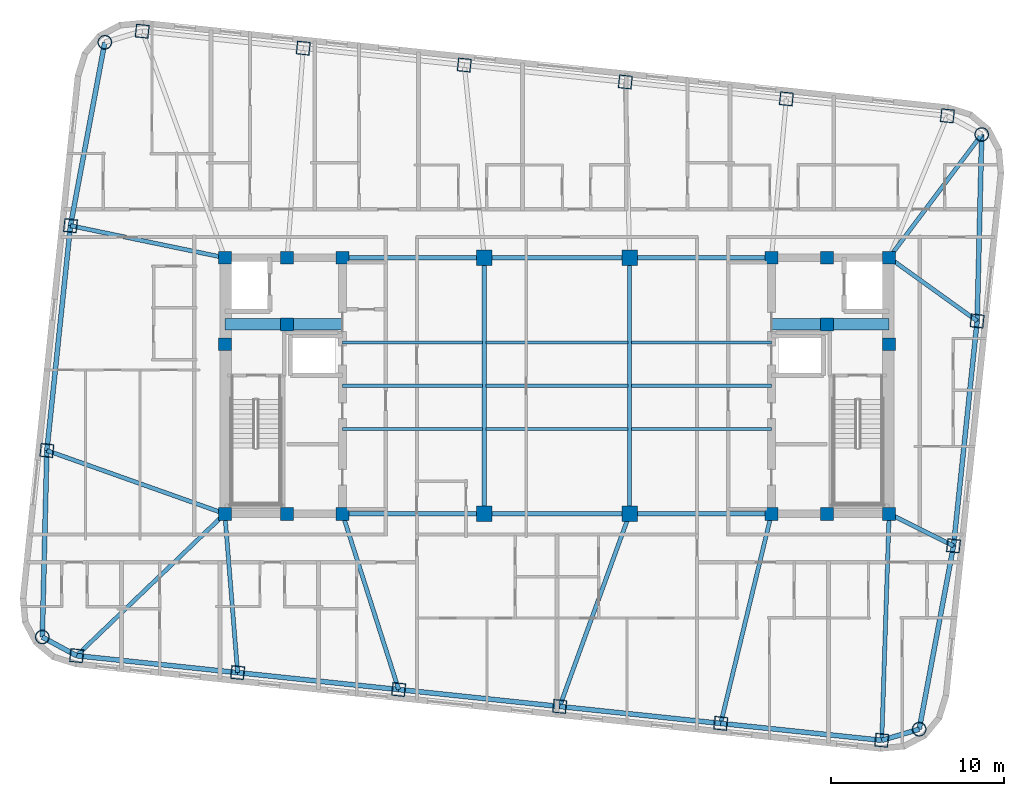
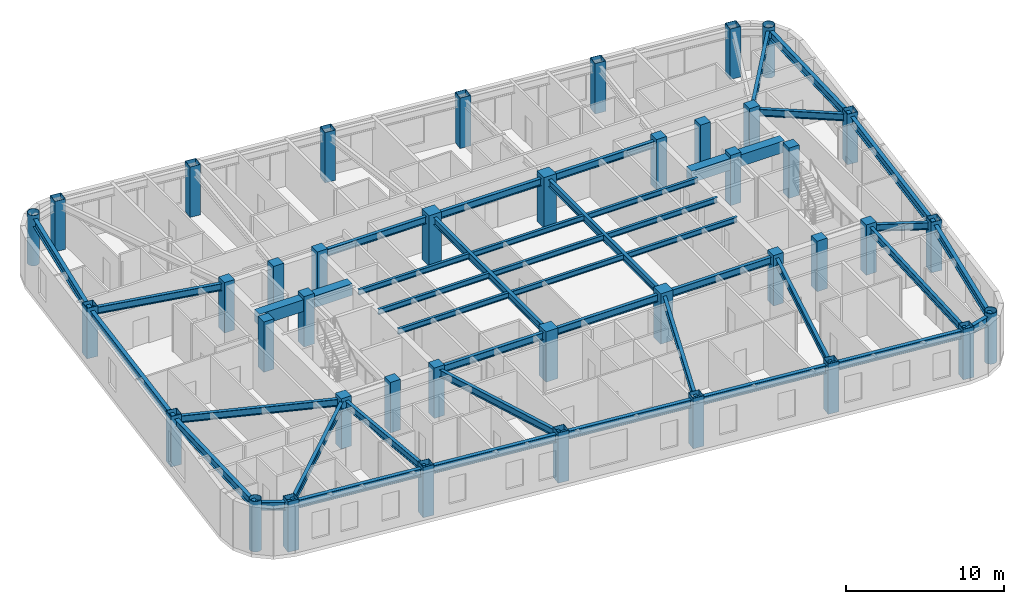
# One storey, part 1 of 11: 43 beams, 40 columns.
"""IFC4 building model written with IfcOpenShell, lengths in metres."""

from ifc_helpers import new_model, si_unit, direction, frame, origin, origin_2d, place, context, subcontext, project, spatial, rectangle, hollow_rectangle, hollow_circle, i_section, extrude, material, material_profile, profile_set, type_object, element, save


model = new_model("IFC4")

# Units and contexts
model_context = context("Model", 3, precision=1e-05, world=origin(), true_north=direction((0.0, 1.0)))
body_context = subcontext(model_context, "Body", "Model", "MODEL_VIEW")
ifc_project = project(units=[si_unit("LENGTHUNIT", "METRE"), si_unit("AREAUNIT", "SQUARE_METRE"), si_unit("VOLUMEUNIT", "CUBIC_METRE"), si_unit("PLANEANGLEUNIT", "RADIAN"), si_unit("MASSUNIT", "GRAM", prefix="KILO")], contexts=[model_context])

# Site, building, storey
site_placement = place(None, origin())
site = spatial("IfcSite", under=ifc_project, at=site_placement, CompositionType="ELEMENT")
building_placement = place(site_placement, origin())
building = spatial("IfcBuilding", under=site, at=building_placement, Name="Voryun Gate Residences", CompositionType="ELEMENT")
storey_placement = place(building_placement, frame((0.0, 0.0, 295.10009765625)))
storey = spatial("IfcBuildingStorey", under=building, at=storey_placement, Name="L73", CompositionType="ELEMENT", Elevation=295.10009765625)

# Columns
ifc_material_1 = material(Name="Concrete C50/60", Category="concrete")
ifc_material_profile_1 = material_profile(ifc_material_1, rectangle(XDim=0.75, YDim=0.75, at=origin_2d()), Name="RC-750x750")
ifc_profile_set_1 = profile_set([ifc_material_profile_1], Name="Concrete C50/60")
column_type_1 = type_object("IfcColumnType", Name="COL_CORE_750", PredefinedType="COLUMN", material=ifc_profile_set_1)
for number, where, z_axis, x_axis, name in (
    (1, (-19.199951171875, -7.39990234375, 0.0), (0.0, 0.0, 1.0), (1.0, 0.0, 0.0), "L73 Core boundary column WC-SW"),
    (2, (-19.199951171875, 2.39990234375, 0.0), (0.0, 0.0, 1.0), (1.0, 0.0, 0.0), "L73 Core boundary column WC-MW"),
    (3, (-19.199951171875, 7.39990234375, 0.0), (0.0, 0.0, 1.0), (1.0, 0.0, 0.0), "L73 Core boundary column WC-NW"),
    (4, (-15.60009765625, -7.39990234375, 0.0), (0.0, 0.0, 1.0), (1.0, 0.0, 0.0), "L73 Core boundary column WC-SM"),
    (5, (-15.60009765625, 7.39990234375, 0.0), (0.0, 0.0, 1.0), (1.0, 0.0, 0.0), "L73 Core boundary column WC-NM"),
    (6, (-12.39990234375, -7.39990234375, 0.0), (0.0, 0.0, 1.0), (1.0, 0.0, 0.0), "L73 Core boundary column WC-SE"),
    (7, (-15.60009765625, 3.550048828125, 0.0), (0.0, 0.0, 1.0), (1.0, 0.0, 0.0), "L73 Core boundary column WC-MM"),
    (8, (-12.39990234375, 7.39990234375, 0.0), (0.0, 0.0, 1.0), (1.0, 0.0, 0.0), "L73 Core boundary column WC-NE"),
    (9, (12.39990234375, -7.39990234375, 0.0), (0.0, 0.0, 1.0), (1.0, 0.0, 0.0), "L73 Core boundary column EC-SW"),
    (10, (15.60009765625, 3.550048828125, 0.0), (0.0, 0.0, 1.0), (1.0, 0.0, 0.0), "L73 Core boundary column EC-MM"),
    (11, (12.39990234375, 7.39990234375, 0.0), (0.0, 0.0, 1.0), (1.0, 0.0, 0.0), "L73 Core boundary column EC-NW"),
    (12, (15.60009765625, -7.39990234375, 0.0), (0.0, 0.0, 1.0), (1.0, 0.0, 0.0), "L73 Core boundary column EC-SM"),
    (13, (15.60009765625, 7.39990234375, 0.0), (0.0, 0.0, 1.0), (1.0, 0.0, 0.0), "L73 Core boundary column EC-NM"),
    (14, (19.199951171875, -7.39990234375, 0.0), (0.0, 0.0, 1.0), (1.0, 0.0, 0.0), "L73 Core boundary column EC-SE"),
    (15, (19.199951171875, 2.39990234375, 0.0), (0.0, 0.0, 1.0), (1.0, 0.0, 0.0), "L73 Core boundary column EC-ME"),
    (16, (19.199951171875, 7.39990234375, 0.0), (0.0, 0.0, 1.0), (1.0, 0.0, 0.0), "L73 Core boundary column EC-NE"),
):
    element("IfcColumn", number, at=place(storey_placement, frame(where, z_axis=z_axis, x_axis=x_axis)), inside=storey, type_object=column_type_1, Name=name, PredefinedType="COLUMN", context=body_context, shape_type="SweptSolid", body=[
        extrude(rectangle(XDim=0.75, YDim=0.75, at=origin_2d()), origin(), (0.0, 0.0, 1.0), 3.89990234375),
    ])
ifc_material_2 = material(Name="Concrete C50/60", Category="concrete")
ifc_material_profile_2 = material_profile(ifc_material_2, rectangle(XDim=0.89990234375, YDim=0.89990234375, at=origin_2d()), Name="RC-900x900")
ifc_profile_set_2 = profile_set([ifc_material_profile_2], Name="Concrete C50/60")
column_type_2 = type_object("IfcColumnType", Name="COL_CORE_900", PredefinedType="COLUMN", material=ifc_profile_set_2)
for number, where, z_axis, x_axis, name in (
    (17, (-4.199951171875, -7.39990234375, 0.0), (0.0, 0.0, 1.0), (1.0, 0.0, 0.0), "L73 Interior spine column SP-WS"),
    (18, (-4.199951171875, 7.39990234375, 0.0), (0.0, 0.0, 1.0), (1.0, 0.0, 0.0), "L73 Interior spine column SP-WN"),
    (19, (4.199951171875, -7.39990234375, 0.0), (0.0, 0.0, 1.0), (1.0, 0.0, 0.0), "L73 Interior spine column SP-ES"),
    (20, (4.199951171875, 7.39990234375, 0.0), (0.0, 0.0, 1.0), (1.0, 0.0, 0.0), "L73 Interior spine column SP-EN"),
):
    element("IfcColumn", number, at=place(storey_placement, frame(where, z_axis=z_axis, x_axis=x_axis)), inside=storey, type_object=column_type_2, Name=name, PredefinedType="COLUMN", context=body_context, shape_type="SweptSolid", body=[
        extrude(rectangle(XDim=0.89990234375, YDim=0.89990234375, at=origin_2d()), origin(), (0.0, 0.0, 1.0), 3.89990234375),
    ])
ifc_material_3 = material(Name="Steel SM355", Category="steel")
ifc_material_profile_3 = material_profile(ifc_material_3, hollow_circle(Radius=0.39990234375, WallThickness=0.028076171875, at=origin_2d()), Name="CHS-800x28")
ifc_profile_set_3 = profile_set([ifc_material_profile_3], Name="Steel SM355")
column_type_3 = type_object("IfcColumnType", Name="COL_CRN_800", PredefinedType="COLUMN", material=ifc_profile_set_3)
for number, where, z_axis, x_axis, name in (
    (21, (20.939453125, -19.855224609375, 0.0), (0.0, 0.0, 1.0), (0.994521895368, -0.104528463268, 0.0), "L73 Exoskeleton column CSE"),
    (22, (24.55322265625, 14.52734375, 0.0), (0.0, 0.0, 1.0), (0.994521895368, -0.104528463268, 0.0), "L73 Exoskeleton column CNE"),
    (23, (-26.139404296875, 19.855224609375, 0.0), (0.0, 0.0, 1.0), (0.994521895368, -0.104528463268, 0.0), "L73 Exoskeleton column CNW"),
    (24, (-29.753173828125, -14.52734375, 0.0), (0.0, 0.0, 1.0), (0.994521895368, -0.104528463268, 0.0), "L73 Exoskeleton column CSW"),
):
    element("IfcColumn", number, at=place(storey_placement, frame(where, z_axis=z_axis, x_axis=x_axis)), inside=storey, type_object=column_type_3, Name=name, PredefinedType="COLUMN", context=body_context, shape_type="SweptSolid", body=[
        extrude(hollow_circle(Radius=0.39990234375, WallThickness=0.028076171875, at=origin_2d()), origin(), (0.0, 0.0, 1.0), 3.89990234375),
    ])
ifc_material_4 = material(Name="Steel SM355", Category="steel")
ifc_material_profile_4 = material_profile(ifc_material_4, hollow_rectangle(XDim=0.75, YDim=0.75, WallThickness=0.02490234375, at=origin_2d()), Name="BOX-750x750x25")
ifc_profile_set_4 = profile_set([ifc_material_profile_4], Name="Steel SM355")
column_type_4 = type_object("IfcColumnType", Name="COL_EXO_B5", PredefinedType="COLUMN", material=ifc_profile_set_4)
for number, where, z_axis, x_axis, name in (
    (25, (-27.76904296875, -15.6044921875, 0.0), (0.0, 0.0, 1.0), (0.994521895368, -0.104528463268, 0.0), "L73 Exoskeleton column S1"),
    (26, (-18.460205078125, -16.5830078125, 0.0), (0.0, 0.0, 1.0), (0.994521895368, -0.104528463268, 0.0), "L73 Exoskeleton column S2"),
    (27, (-9.151611328125, -17.561279296875, 0.0), (0.0, 0.0, 1.0), (0.994521895368, -0.104528463268, 0.0), "L73 Exoskeleton column S3"),
    (28, (0.1572265625, -18.539794921875, 0.0), (0.0, 0.0, 1.0), (0.994521895368, -0.104528463268, 0.0), "L73 Exoskeleton column S4"),
    (29, (9.4658203125, -19.51806640625, 0.0), (0.0, 0.0, 1.0), (0.994521895368, -0.104528463268, 0.0), "L73 Exoskeleton column S5"),
    (30, (18.774658203125, -20.49658203125, 0.0), (0.0, 0.0, 1.0), (0.994521895368, -0.104528463268, 0.0), "L73 Exoskeleton column S6"),
    (31, (22.922607421875, -9.25244140625, 0.0), (0.0, 0.0, 1.0), (0.994521895368, -0.104528463268, 0.0), "L73 Exoskeleton column E1"),
    (32, (24.28857421875, 3.743896484375, 0.0), (0.0, 0.0, 1.0), (0.994521895368, -0.104528463268, 0.0), "L73 Exoskeleton column E2"),
    (33, (22.569091796875, 15.6044921875, 0.0), (0.0, 0.0, 1.0), (0.994521895368, -0.104528463268, 0.0), "L73 Exoskeleton column N1"),
    (34, (13.26025390625, 16.5830078125, 0.0), (0.0, 0.0, 1.0), (0.994521895368, -0.104528463268, 0.0), "L73 Exoskeleton column N2"),
    (35, (3.95166015625, 17.561279296875, 0.0), (0.0, 0.0, 1.0), (0.994521895368, -0.104528463268, 0.0), "L73 Exoskeleton column N3"),
    (36, (-5.357177734375, 18.539794921875, 0.0), (0.0, 0.0, 1.0), (0.994521895368, -0.104528463268, 0.0), "L73 Exoskeleton column N4"),
    (37, (-14.666015625, 19.51806640625, 0.0), (0.0, 0.0, 1.0), (0.994521895368, -0.104528463268, 0.0), "L73 Exoskeleton column N5"),
    (38, (-23.974609375, 20.49658203125, 0.0), (0.0, 0.0, 1.0), (0.994521895368, -0.104528463268, 0.0), "L73 Exoskeleton column N6"),
    (39, (-28.12255859375, 9.25244140625, 0.0), (0.0, 0.0, 1.0), (0.994521895368, -0.104528463268, 0.0), "L73 Exoskeleton column W1"),
    (40, (-29.488525390625, -3.743896484375, 0.0), (0.0, 0.0, 1.0), (0.994521895368, -0.104528463268, 0.0), "L73 Exoskeleton column W2"),
):
    element("IfcColumn", number, at=place(storey_placement, frame(where, z_axis=z_axis, x_axis=x_axis)), inside=storey, type_object=column_type_4, Name=name, PredefinedType="COLUMN", context=body_context, shape_type="SweptSolid", body=[
        extrude(hollow_rectangle(XDim=0.75, YDim=0.75, WallThickness=0.02490234375, at=origin_2d()), origin(), (0.0, 0.0, 1.0), 3.89990234375),
    ])

# Beams
ifc_material_5 = material(Name="Concrete C60/75", Category="concrete")
ifc_material_profile_5 = material_profile(ifc_material_5, rectangle(XDim=0.64990234375, YDim=0.89990234375, at=origin_2d()), Name="RC-650x900")
ifc_profile_set_5 = profile_set([ifc_material_profile_5], Name="Concrete C60/75")
beam_type_1 = type_object("IfcBeamType", Name="BM_COUP_RC900", PredefinedType="LINTEL", material=ifc_profile_set_5)
for number, where, z_axis, x_axis, name in (
    (41, (-19.199951171875, 3.550048828125, 3.184814453125), (1.0, 0.0, 0.0), (0.0, 1.0, 0.0), "BM-L73-WC1"),
    (42, (12.39990234375, 3.550048828125, 3.184814453125), (1.0, 0.0, 0.0), (0.0, 1.0, 0.0), "BM-L73-EC1"),
):
    element("IfcBeam", number, at=place(storey_placement, frame(where, z_axis=z_axis, x_axis=x_axis)), inside=storey, type_object=beam_type_1, Name=name, PredefinedType="LINTEL", context=body_context, shape_type="SweptSolid", body=[
        extrude(rectangle(XDim=0.64990234375, YDim=0.89990234375, at=origin_2d()), origin(), (0.0, 0.0, 1.0), 6.800048828125),
    ])
ifc_material_6 = material(Name="Steel SM355", Category="steel")
ifc_material_profile_6 = material_profile(ifc_material_6, i_section(OverallWidth=0.280029296875, OverallDepth=0.6201171875, WebThickness=0.013916015625, FlangeThickness=0.02197265625, FilletRadius=0.01806640625, at=origin_2d()), Name="H-620x280x14x22")
ifc_profile_set_6 = profile_set([ifc_material_profile_6], Name="Steel SM355")
beam_type_2 = type_object("IfcBeamType", Name="BM_EXO_SPANDREL_H", PredefinedType="SPANDREL", material=ifc_profile_set_6)
beam_1_placement = place(storey_placement, frame((-27.76904296875, -15.6044921875, 3.324951171875), z_axis=(0.994520592114, -0.104540862157, 0.0), x_axis=(0.104540862157, 0.994520592114, 0.0)))
element("IfcBeam", 43, at=beam_1_placement, inside=storey, type_object=beam_type_2, Name="BM-L73-SPAND-01", PredefinedType="SPANDREL", context=body_context, shape_type="SweptSolid", body=[
    extrude(i_section(OverallWidth=0.280029296875, OverallDepth=0.6201171875, WebThickness=0.013916015625, FlangeThickness=0.02197265625, FilletRadius=0.01806640625, at=origin_2d()), origin(), (0.0, 0.0, 1.0), 9.360107421875),
])
beam_2_placement = place(storey_placement, frame((-18.460205078125, -16.5830078125, 3.324951171875), z_axis=(0.994523018663, -0.104517775278, 0.0), x_axis=(0.104517775278, 0.994523018663, 0.0)))
element("IfcBeam", 44, at=beam_2_placement, inside=storey, type_object=beam_type_2, Name="BM-L73-SPAND-02", PredefinedType="SPANDREL", context=body_context, shape_type="SweptSolid", body=[
    extrude(i_section(OverallWidth=0.280029296875, OverallDepth=0.6201171875, WebThickness=0.013916015625, FlangeThickness=0.02197265625, FilletRadius=0.01806640625, at=origin_2d()), origin(), (0.0, 0.0, 1.0), 9.35986328125),
])
beam_3_placement = place(storey_placement, frame((-9.151611328125, -17.561279296875, 3.324951171875), z_axis=(0.994520592114, -0.104540862157, 0.0), x_axis=(0.104540862157, 0.994520592114, 0.0)))
element("IfcBeam", 45, at=beam_3_placement, inside=storey, type_object=beam_type_2, Name="BM-L73-SPAND-03", PredefinedType="SPANDREL", context=body_context, shape_type="SweptSolid", body=[
    extrude(i_section(OverallWidth=0.280029296875, OverallDepth=0.6201171875, WebThickness=0.013916015625, FlangeThickness=0.02197265625, FilletRadius=0.01806640625, at=origin_2d()), origin(), (0.0, 0.0, 1.0), 9.360107421875),
])
beam_4_placement = place(storey_placement, frame((0.1572265625, -18.539794921875, 3.324951171875), z_axis=(0.994523018663, -0.104517775278, 0.0), x_axis=(0.104517775278, 0.994523018663, 0.0)))
element("IfcBeam", 46, at=beam_4_placement, inside=storey, type_object=beam_type_2, Name="BM-L73-SPAND-04", PredefinedType="SPANDREL", context=body_context, shape_type="SweptSolid", body=[
    extrude(i_section(OverallWidth=0.280029296875, OverallDepth=0.6201171875, WebThickness=0.013916015625, FlangeThickness=0.02197265625, FilletRadius=0.01806640625, at=origin_2d()), origin(), (0.0, 0.0, 1.0), 9.35986328125),
])
beam_5_placement = place(storey_placement, frame((9.4658203125, -19.51806640625, 3.324951171875), z_axis=(0.994520592114, -0.104540862157, 0.0), x_axis=(0.104540862157, 0.994520592114, 0.0)))
element("IfcBeam", 47, at=beam_5_placement, inside=storey, type_object=beam_type_2, Name="BM-L73-SPAND-05", PredefinedType="SPANDREL", context=body_context, shape_type="SweptSolid", body=[
    extrude(i_section(OverallWidth=0.280029296875, OverallDepth=0.6201171875, WebThickness=0.013916015625, FlangeThickness=0.02197265625, FilletRadius=0.01806640625, at=origin_2d()), origin(), (0.0, 0.0, 1.0), 9.360107421875),
])
beam_6_placement = place(storey_placement, frame((18.774658203125, -20.49658203125, 3.324951171875), z_axis=(0.958805748412, 0.28406255792, 0.0), x_axis=(-0.28406255792, 0.958805748412, 0.0)))
element("IfcBeam", 48, at=beam_6_placement, inside=storey, type_object=beam_type_2, Name="BM-L73-SPAND-06", PredefinedType="SPANDREL", context=body_context, shape_type="SweptSolid", body=[
    extrude(i_section(OverallWidth=0.280029296875, OverallDepth=0.6201171875, WebThickness=0.013916015625, FlangeThickness=0.02197265625, FilletRadius=0.01806640625, at=origin_2d()), origin(), (0.0, 0.0, 1.0), 2.2578125),
])
beam_7_placement = place(storey_placement, frame((20.939453125, -19.855224609375, 3.324951171875), z_axis=(0.183852585596, 0.982953827384, 0.0), x_axis=(-0.982953827384, 0.183852585596, 0.0)))
element("IfcBeam", 49, at=beam_7_placement, inside=storey, type_object=beam_type_2, Name="BM-L73-SPAND-07", PredefinedType="SPANDREL", context=body_context, shape_type="SweptSolid", body=[
    extrude(i_section(OverallWidth=0.280029296875, OverallDepth=0.6201171875, WebThickness=0.013916015625, FlangeThickness=0.02197265625, FilletRadius=0.01806640625, at=origin_2d()), origin(), (0.0, 0.0, 1.0), 10.78662109375),
])
beam_8_placement = place(storey_placement, frame((22.922607421875, -9.25244140625, 3.324951171875), z_axis=(0.104528209082, 0.994521922084, 0.0), x_axis=(-0.994521922084, 0.104528209082, 0.0)))
element("IfcBeam", 50, at=beam_8_placement, inside=storey, type_object=beam_type_2, Name="BM-L73-SPAND-08", PredefinedType="SPANDREL", context=body_context, shape_type="SweptSolid", body=[
    extrude(i_section(OverallWidth=0.280029296875, OverallDepth=0.6201171875, WebThickness=0.013916015625, FlangeThickness=0.02197265625, FilletRadius=0.01806640625, at=origin_2d()), origin(), (0.0, 0.0, 1.0), 13.06787109375),
])
for number, where, z_axis, x_axis, name in (
    (51, (24.28857421875, 3.743896484375, 3.324951171875), (0.024534711967, 0.999698978647, 0.0), (-0.999698978647, 0.024534711967, 0.0), "BM-L73-SPAND-09"),
    (52, (-26.139404296875, 19.855224609375, 3.324951171875), (-0.183852585596, -0.982953827384, 0.0), (0.982953827384, -0.183852585596, 0.0), "BM-L73-SPAND-17"),
):
    element("IfcBeam", number, at=place(storey_placement, frame(where, z_axis=z_axis, x_axis=x_axis)), inside=storey, type_object=beam_type_2, Name=name, PredefinedType="SPANDREL", context=body_context, shape_type="SweptSolid", body=[
        extrude(i_section(OverallWidth=0.280029296875, OverallDepth=0.6201171875, WebThickness=0.013916015625, FlangeThickness=0.02197265625, FilletRadius=0.01806640625, at=origin_2d()), origin(), (0.0, 0.0, 1.0), 10.78662109375),
    ])
beam_9_placement = place(storey_placement, frame((-28.12255859375, 9.25244140625, 3.324951171875), z_axis=(-0.104528209082, -0.994521922084, 0.0), x_axis=(0.994521922084, -0.104528209082, 0.0)))
element("IfcBeam", 53, at=beam_9_placement, inside=storey, type_object=beam_type_2, Name="BM-L73-SPAND-18", PredefinedType="SPANDREL", context=body_context, shape_type="SweptSolid", body=[
    extrude(i_section(OverallWidth=0.280029296875, OverallDepth=0.6201171875, WebThickness=0.013916015625, FlangeThickness=0.02197265625, FilletRadius=0.01806640625, at=origin_2d()), origin(), (0.0, 0.0, 1.0), 13.06787109375),
])
beam_10_placement = place(storey_placement, frame((-29.488525390625, -3.743896484375, 3.324951171875), z_axis=(-0.024534711967, -0.999698978647, 0.0), x_axis=(0.999698978647, -0.024534711967, 0.0)))
element("IfcBeam", 54, at=beam_10_placement, inside=storey, type_object=beam_type_2, Name="BM-L73-SPAND-19", PredefinedType="SPANDREL", context=body_context, shape_type="SweptSolid", body=[
    extrude(i_section(OverallWidth=0.280029296875, OverallDepth=0.6201171875, WebThickness=0.013916015625, FlangeThickness=0.02197265625, FilletRadius=0.01806640625, at=origin_2d()), origin(), (0.0, 0.0, 1.0), 10.78662109375),
])
beam_11_placement = place(storey_placement, frame((-29.753173828125, -14.52734375, 3.324951171875), z_axis=(0.878844363117, -0.477108567746, 0.0), x_axis=(0.477108567746, 0.878844363117, 0.0)))
element("IfcBeam", 55, at=beam_11_placement, inside=storey, type_object=beam_type_2, Name="BM-L73-SPAND-20", PredefinedType="SPANDREL", context=body_context, shape_type="SweptSolid", body=[
    extrude(i_section(OverallWidth=0.280029296875, OverallDepth=0.6201171875, WebThickness=0.013916015625, FlangeThickness=0.02197265625, FilletRadius=0.01806640625, at=origin_2d()), origin(), (0.0, 0.0, 1.0), 2.257568359375),
])
ifc_material_7 = material(Name="Steel SM355", Category="steel")
ifc_material_profile_7 = material_profile(ifc_material_7, i_section(OverallWidth=0.239990234375, OverallDepth=0.550048828125, WebThickness=0.011962890625, FlangeThickness=0.02001953125, FilletRadius=0.01806640625, at=origin_2d()), Name="H-550x240x12x20")
ifc_profile_set_7 = profile_set([ifc_material_profile_7], Name="Steel SM355")
beam_type_3 = type_object("IfcBeamType", Name="BM_GIRD_550", PredefinedType="USERDEFINED", material=ifc_profile_set_7)
beam_12_placement = place(storey_placement, frame((-12.39990234375, -7.39990234375, 3.35986328125), z_axis=(1.0, 0.0, 0.0), x_axis=(0.0, 1.0, 0.0)))
element("IfcBeam", 56, at=beam_12_placement, inside=storey, type_object=beam_type_3, Name="BM-L73-SPG1-S", ObjectType="GIRDER", PredefinedType="USERDEFINED", context=body_context, shape_type="SweptSolid", body=[
    extrude(i_section(OverallWidth=0.239990234375, OverallDepth=0.550048828125, WebThickness=0.011962890625, FlangeThickness=0.02001953125, FilletRadius=0.01806640625, at=origin_2d()), origin(), (0.0, 0.0, 1.0), 8.199951171875),
])
beam_13_placement = place(storey_placement, frame((-4.199951171875, -7.39990234375, 3.35986328125), z_axis=(1.0, 0.0, 0.0), x_axis=(0.0, 1.0, 0.0)))
element("IfcBeam", 57, at=beam_13_placement, inside=storey, type_object=beam_type_3, Name="BM-L73-SPG2-S", ObjectType="GIRDER", PredefinedType="USERDEFINED", context=body_context, shape_type="SweptSolid", body=[
    extrude(i_section(OverallWidth=0.239990234375, OverallDepth=0.550048828125, WebThickness=0.011962890625, FlangeThickness=0.02001953125, FilletRadius=0.01806640625, at=origin_2d()), origin(), (0.0, 0.0, 1.0), 8.39990234375),
])
for number, where, z_axis, x_axis, name in (
    (58, (4.199951171875, -7.39990234375, 3.35986328125), (1.0, 0.0, 0.0), (0.0, 1.0, 0.0), "BM-L73-SPG3-S"),
    (59, (-12.39990234375, 7.39990234375, 3.35986328125), (1.0, 0.0, 0.0), (0.0, 1.0, 0.0), "BM-L73-SPG1-N"),
):
    element("IfcBeam", number, at=place(storey_placement, frame(where, z_axis=z_axis, x_axis=x_axis)), inside=storey, type_object=beam_type_3, Name=name, ObjectType="GIRDER", PredefinedType="USERDEFINED", context=body_context, shape_type="SweptSolid", body=[
        extrude(i_section(OverallWidth=0.239990234375, OverallDepth=0.550048828125, WebThickness=0.011962890625, FlangeThickness=0.02001953125, FilletRadius=0.01806640625, at=origin_2d()), origin(), (0.0, 0.0, 1.0), 8.199951171875),
    ])
beam_14_placement = place(storey_placement, frame((-4.199951171875, 7.39990234375, 3.35986328125), z_axis=(1.0, 0.0, 0.0), x_axis=(0.0, 1.0, 0.0)))
element("IfcBeam", 60, at=beam_14_placement, inside=storey, type_object=beam_type_3, Name="BM-L73-SPG2-N", ObjectType="GIRDER", PredefinedType="USERDEFINED", context=body_context, shape_type="SweptSolid", body=[
    extrude(i_section(OverallWidth=0.239990234375, OverallDepth=0.550048828125, WebThickness=0.011962890625, FlangeThickness=0.02001953125, FilletRadius=0.01806640625, at=origin_2d()), origin(), (0.0, 0.0, 1.0), 8.39990234375),
])
beam_15_placement = place(storey_placement, frame((4.199951171875, 7.39990234375, 3.35986328125), z_axis=(1.0, 0.0, 0.0), x_axis=(0.0, 1.0, 0.0)))
element("IfcBeam", 61, at=beam_15_placement, inside=storey, type_object=beam_type_3, Name="BM-L73-SPG3-N", ObjectType="GIRDER", PredefinedType="USERDEFINED", context=body_context, shape_type="SweptSolid", body=[
    extrude(i_section(OverallWidth=0.239990234375, OverallDepth=0.550048828125, WebThickness=0.011962890625, FlangeThickness=0.02001953125, FilletRadius=0.01806640625, at=origin_2d()), origin(), (0.0, 0.0, 1.0), 8.199951171875),
])
for number, where, z_axis, x_axis, name in (
    (62, (-4.199951171875, -7.39990234375, 3.35986328125), (0.0, 1.0, 0.0), (-1.0, 0.0, 0.0), "BM-L73-SPX-W"),
    (63, (4.199951171875, -7.39990234375, 3.35986328125), (0.0, 1.0, 0.0), (-1.0, 0.0, 0.0), "BM-L73-SPX-E"),
):
    element("IfcBeam", number, at=place(storey_placement, frame(where, z_axis=z_axis, x_axis=x_axis)), inside=storey, type_object=beam_type_3, Name=name, ObjectType="GIRDER", PredefinedType="USERDEFINED", context=body_context, shape_type="SweptSolid", body=[
        extrude(i_section(OverallWidth=0.239990234375, OverallDepth=0.550048828125, WebThickness=0.011962890625, FlangeThickness=0.02001953125, FilletRadius=0.01806640625, at=origin_2d()), origin(), (0.0, 0.0, 1.0), 14.7998046875),
    ])
beam_16_placement = place(storey_placement, frame((-19.199951171875, -7.39990234375, 3.35986328125), z_axis=(-0.722302104769, -0.691577666966, 0.0), x_axis=(0.691577666966, -0.722302104769, 0.0)))
element("IfcBeam", 64, at=beam_16_placement, inside=storey, type_object=beam_type_3, Name="BM-L73-RAD-S1", ObjectType="GIRDER", PredefinedType="USERDEFINED", context=body_context, shape_type="SweptSolid", body=[
    extrude(i_section(OverallWidth=0.239990234375, OverallDepth=0.550048828125, WebThickness=0.011962890625, FlangeThickness=0.02001953125, FilletRadius=0.01806640625, at=origin_2d()), origin(), (0.0, 0.0, 1.0), 11.863525390625),
])
beam_17_placement = place(storey_placement, frame((-19.199951171875, -7.39990234375, 3.35986328125), z_axis=(0.080295011504, -0.996771142804, 0.0), x_axis=(0.996771142804, 0.080295011504, 0.0)))
element("IfcBeam", 65, at=beam_17_placement, inside=storey, type_object=beam_type_3, Name="BM-L73-RAD-S2", ObjectType="GIRDER", PredefinedType="USERDEFINED", context=body_context, shape_type="SweptSolid", body=[
    extrude(i_section(OverallWidth=0.239990234375, OverallDepth=0.550048828125, WebThickness=0.011962890625, FlangeThickness=0.02001953125, FilletRadius=0.01806640625, at=origin_2d()), origin(), (0.0, 0.0, 1.0), 9.212890625),
])
beam_18_placement = place(storey_placement, frame((-12.39990234375, -7.39990234375, 3.35986328125), z_axis=(0.30449089095, -0.952515247819, 0.0), x_axis=(0.952515247819, 0.30449089095, 0.0)))
element("IfcBeam", 66, at=beam_18_placement, inside=storey, type_object=beam_type_3, Name="BM-L73-RAD-S3", ObjectType="GIRDER", PredefinedType="USERDEFINED", context=body_context, shape_type="SweptSolid", body=[
    extrude(i_section(OverallWidth=0.239990234375, OverallDepth=0.550048828125, WebThickness=0.011962890625, FlangeThickness=0.02001953125, FilletRadius=0.01806640625, at=origin_2d()), origin(), (0.0, 0.0, 1.0), 10.66796875),
])
beam_19_placement = place(storey_placement, frame((4.199951171875, -7.39990234375, 3.35986328125), z_axis=(-0.341135931896, -0.940013976476, 0.0), x_axis=(0.940013976476, -0.341135931896, 0.0)))
element("IfcBeam", 67, at=beam_19_placement, inside=storey, type_object=beam_type_3, Name="BM-L73-RAD-S4", ObjectType="GIRDER", PredefinedType="USERDEFINED", context=body_context, shape_type="SweptSolid", body=[
    extrude(i_section(OverallWidth=0.239990234375, OverallDepth=0.550048828125, WebThickness=0.011962890625, FlangeThickness=0.02001953125, FilletRadius=0.01806640625, at=origin_2d()), origin(), (0.0, 0.0, 1.0), 11.850830078125),
])
beam_20_placement = place(storey_placement, frame((12.39990234375, -7.39990234375, 3.35986328125), z_axis=(-0.235323166357, -0.971917181336, 0.0), x_axis=(0.971917181336, -0.235323166357, 0.0)))
element("IfcBeam", 68, at=beam_20_placement, inside=storey, type_object=beam_type_3, Name="BM-L73-RAD-S5", ObjectType="GIRDER", PredefinedType="USERDEFINED", context=body_context, shape_type="SweptSolid", body=[
    extrude(i_section(OverallWidth=0.239990234375, OverallDepth=0.550048828125, WebThickness=0.011962890625, FlangeThickness=0.02001953125, FilletRadius=0.01806640625, at=origin_2d()), origin(), (0.0, 0.0, 1.0), 12.46826171875),
])
beam_21_placement = place(storey_placement, frame((19.199951171875, -7.39990234375, 3.35986328125), z_axis=(-0.032456234446, -0.999473157641, 0.0), x_axis=(0.999473157641, -0.032456234446, 0.0)))
element("IfcBeam", 69, at=beam_21_placement, inside=storey, type_object=beam_type_3, Name="BM-L73-RAD-S6", ObjectType="GIRDER", PredefinedType="USERDEFINED", context=body_context, shape_type="SweptSolid", body=[
    extrude(i_section(OverallWidth=0.239990234375, OverallDepth=0.550048828125, WebThickness=0.011962890625, FlangeThickness=0.02001953125, FilletRadius=0.01806640625, at=origin_2d()), origin(), (0.0, 0.0, 1.0), 13.103515625),
])
beam_22_placement = place(storey_placement, frame((19.199951171875, -7.39990234375, 3.35986328125), z_axis=(0.895271074172, -0.445521833081, 0.0), x_axis=(0.445521833081, 0.895271074172, 0.0)))
element("IfcBeam", 70, at=beam_22_placement, inside=storey, type_object=beam_type_3, Name="BM-L73-RAD-E1", ObjectType="GIRDER", PredefinedType="USERDEFINED", context=body_context, shape_type="SweptSolid", body=[
    extrude(i_section(OverallWidth=0.239990234375, OverallDepth=0.550048828125, WebThickness=0.011962890625, FlangeThickness=0.02001953125, FilletRadius=0.01806640625, at=origin_2d()), origin(), (0.0, 0.0, 1.0), 4.158203125),
])
beam_23_placement = place(storey_placement, frame((19.199951171875, 7.39990234375, 3.35986328125), z_axis=(0.81212442094, -0.583484297058, 0.0), x_axis=(0.583484297058, 0.81212442094, 0.0)))
element("IfcBeam", 71, at=beam_23_placement, inside=storey, type_object=beam_type_3, Name="BM-L73-RAD-E2", ObjectType="GIRDER", PredefinedType="USERDEFINED", context=body_context, shape_type="SweptSolid", body=[
    extrude(i_section(OverallWidth=0.239990234375, OverallDepth=0.550048828125, WebThickness=0.011962890625, FlangeThickness=0.02001953125, FilletRadius=0.01806640625, at=origin_2d()), origin(), (0.0, 0.0, 1.0), 6.265869140625),
])
beam_24_placement = place(storey_placement, frame((19.199951171875, 7.39990234375, 3.35986328125), z_axis=(0.60055201327, 0.799585692316, 0.0), x_axis=(-0.799585692316, 0.60055201327, 0.0)))
element("IfcBeam", 72, at=beam_24_placement, inside=storey, type_object=beam_type_3, Name="BM-L73-RAD-CNE", ObjectType="GIRDER", PredefinedType="USERDEFINED", context=body_context, shape_type="SweptSolid", body=[
    extrude(i_section(OverallWidth=0.239990234375, OverallDepth=0.550048828125, WebThickness=0.011962890625, FlangeThickness=0.02001953125, FilletRadius=0.01806640625, at=origin_2d()), origin(), (0.0, 0.0, 1.0), 8.913818359375),
])
beam_25_placement = place(storey_placement, frame((-19.199951171875, 7.39990234375, 3.35986328125), z_axis=(-0.979119049711, 0.203287693907, 0.0), x_axis=(-0.203287693907, -0.979119049711, 0.0)))
element("IfcBeam", 73, at=beam_25_placement, inside=storey, type_object=beam_type_3, Name="BM-L73-RAD-W1", ObjectType="GIRDER", PredefinedType="USERDEFINED", context=body_context, shape_type="SweptSolid", body=[
    extrude(i_section(OverallWidth=0.239990234375, OverallDepth=0.550048828125, WebThickness=0.011962890625, FlangeThickness=0.02001953125, FilletRadius=0.01806640625, at=origin_2d()), origin(), (0.0, 0.0, 1.0), 9.11279296875),
])
beam_26_placement = place(storey_placement, frame((-19.199951171875, -7.39990234375, 3.35986328125), z_axis=(-0.942276939669, 0.334834539688, 0.0), x_axis=(-0.334834539688, -0.942276939669, 0.0)))
element("IfcBeam", 74, at=beam_26_placement, inside=storey, type_object=beam_type_3, Name="BM-L73-RAD-W2", ObjectType="GIRDER", PredefinedType="USERDEFINED", context=body_context, shape_type="SweptSolid", body=[
    extrude(i_section(OverallWidth=0.239990234375, OverallDepth=0.550048828125, WebThickness=0.011962890625, FlangeThickness=0.02001953125, FilletRadius=0.01806640625, at=origin_2d()), origin(), (0.0, 0.0, 1.0), 10.9189453125),
])
ifc_material_8 = material(Name="Steel SM355", Category="steel")
ifc_material_profile_8 = material_profile(ifc_material_8, i_section(OverallWidth=0.18994140625, OverallDepth=0.419921875, WebThickness=0.009033203125, FlangeThickness=0.01611328125, FilletRadius=0.01806640625, at=origin_2d()), Name="H-420x190x9x16")
ifc_profile_set_8 = profile_set([ifc_material_profile_8], Name="Steel SM355")
beam_type_4 = type_object("IfcBeamType", Name="BM_SEC_420", PredefinedType="BEAM", material=ifc_profile_set_8)
beam_27_placement = place(storey_placement, frame((-12.39990234375, -2.5, 3.4248046875), z_axis=(1.0, 0.0, 0.0), x_axis=(0.0, 1.0, 0.0)))
element("IfcBeam", 75, at=beam_27_placement, inside=storey, type_object=beam_type_4, Name="BM-L73-SEC-CS1", PredefinedType="BEAM", context=body_context, shape_type="SweptSolid", body=[
    extrude(i_section(OverallWidth=0.18994140625, OverallDepth=0.419921875, WebThickness=0.009033203125, FlangeThickness=0.01611328125, FilletRadius=0.01806640625, at=origin_2d()), origin(), (0.0, 0.0, 1.0), 8.099853515625),
])
beam_28_placement = place(storey_placement, frame((-4.10009765625, -2.5, 3.4248046875), z_axis=(1.0, 0.0, 0.0), x_axis=(0.0, 1.0, 0.0)))
element("IfcBeam", 76, at=beam_28_placement, inside=storey, type_object=beam_type_4, Name="BM-L73-SEC-CS2", PredefinedType="BEAM", context=body_context, shape_type="SweptSolid", body=[
    extrude(i_section(OverallWidth=0.18994140625, OverallDepth=0.419921875, WebThickness=0.009033203125, FlangeThickness=0.01611328125, FilletRadius=0.01806640625, at=origin_2d()), origin(), (0.0, 0.0, 1.0), 8.2001953125),
])
for number, where, z_axis, x_axis, name in (
    (77, (4.300048828125, -2.5, 3.4248046875), (1.0, 0.0, 0.0), (0.0, 1.0, 0.0), "BM-L73-SEC-CS3"),
    (78, (-12.39990234375, 0.0, 3.4248046875), (1.0, 0.0, 0.0), (0.0, 1.0, 0.0), "BM-L73-SEC-CM1"),
):
    element("IfcBeam", number, at=place(storey_placement, frame(where, z_axis=z_axis, x_axis=x_axis)), inside=storey, type_object=beam_type_4, Name=name, PredefinedType="BEAM", context=body_context, shape_type="SweptSolid", body=[
        extrude(i_section(OverallWidth=0.18994140625, OverallDepth=0.419921875, WebThickness=0.009033203125, FlangeThickness=0.01611328125, FilletRadius=0.01806640625, at=origin_2d()), origin(), (0.0, 0.0, 1.0), 8.099853515625),
    ])
beam_29_placement = place(storey_placement, frame((-4.10009765625, 0.0, 3.4248046875), z_axis=(1.0, 0.0, 0.0), x_axis=(0.0, 1.0, 0.0)))
element("IfcBeam", 79, at=beam_29_placement, inside=storey, type_object=beam_type_4, Name="BM-L73-SEC-CM2", PredefinedType="BEAM", context=body_context, shape_type="SweptSolid", body=[
    extrude(i_section(OverallWidth=0.18994140625, OverallDepth=0.419921875, WebThickness=0.009033203125, FlangeThickness=0.01611328125, FilletRadius=0.01806640625, at=origin_2d()), origin(), (0.0, 0.0, 1.0), 8.2001953125),
])
for number, where, z_axis, x_axis, name in (
    (80, (4.300048828125, 0.0, 3.4248046875), (1.0, 0.0, 0.0), (0.0, 1.0, 0.0), "BM-L73-SEC-CM3"),
    (81, (-12.39990234375, 2.5, 3.4248046875), (1.0, 0.0, 0.0), (0.0, 1.0, 0.0), "BM-L73-SEC-CN1"),
):
    element("IfcBeam", number, at=place(storey_placement, frame(where, z_axis=z_axis, x_axis=x_axis)), inside=storey, type_object=beam_type_4, Name=name, PredefinedType="BEAM", context=body_context, shape_type="SweptSolid", body=[
        extrude(i_section(OverallWidth=0.18994140625, OverallDepth=0.419921875, WebThickness=0.009033203125, FlangeThickness=0.01611328125, FilletRadius=0.01806640625, at=origin_2d()), origin(), (0.0, 0.0, 1.0), 8.099853515625),
    ])
beam_30_placement = place(storey_placement, frame((-4.10009765625, 2.5, 3.4248046875), z_axis=(1.0, 0.0, 0.0), x_axis=(0.0, 1.0, 0.0)))
element("IfcBeam", 82, at=beam_30_placement, inside=storey, type_object=beam_type_4, Name="BM-L73-SEC-CN2", PredefinedType="BEAM", context=body_context, shape_type="SweptSolid", body=[
    extrude(i_section(OverallWidth=0.18994140625, OverallDepth=0.419921875, WebThickness=0.009033203125, FlangeThickness=0.01611328125, FilletRadius=0.01806640625, at=origin_2d()), origin(), (0.0, 0.0, 1.0), 8.2001953125),
])
beam_31_placement = place(storey_placement, frame((4.300048828125, 2.5, 3.4248046875), z_axis=(1.0, 0.0, 0.0), x_axis=(0.0, 1.0, 0.0)))
element("IfcBeam", 83, at=beam_31_placement, inside=storey, type_object=beam_type_4, Name="BM-L73-SEC-CN3", PredefinedType="BEAM", context=body_context, shape_type="SweptSolid", body=[
    extrude(i_section(OverallWidth=0.18994140625, OverallDepth=0.419921875, WebThickness=0.009033203125, FlangeThickness=0.01611328125, FilletRadius=0.01806640625, at=origin_2d()), origin(), (0.0, 0.0, 1.0), 8.099853515625),
])

save(model, "model.ifc")
